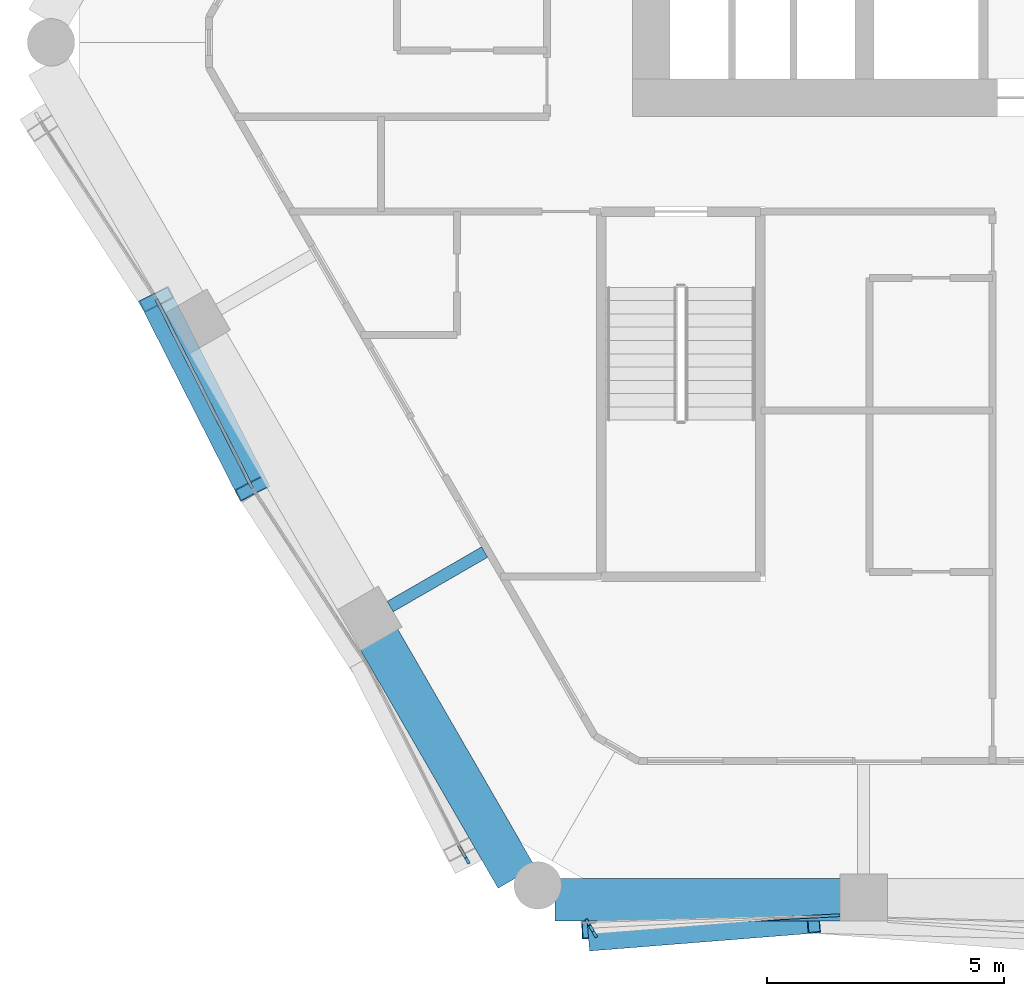
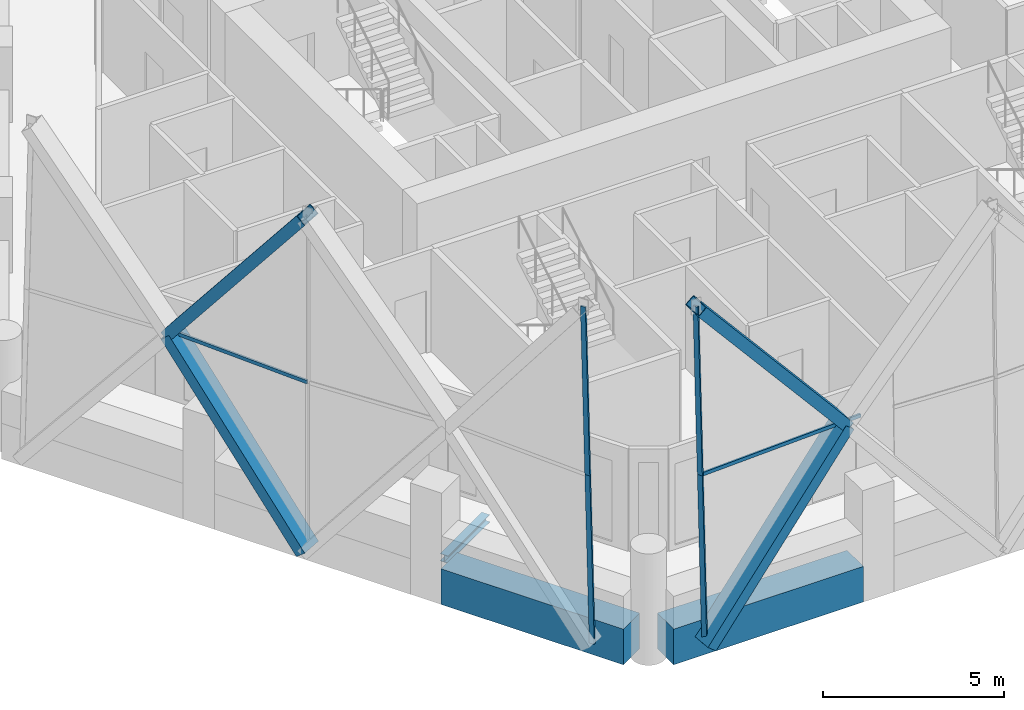
# One storey, part 2 of 19: 10 members, 3 beams, 4 elements without a shape of their own.
"""IFC4 building model written with IfcOpenShell, lengths in metres."""

from ifc_helpers import new_model, si_unit, direction, frame, origin, origin_2d, place, context, subcontext, project, spatial, rectangle, hollow_rectangle, i_section, extrude, material, material_profile, profile_set, type_object, element, aggregate, save


model = new_model("IFC4")

# Units and contexts
model_context = context("Model", 3, precision=1e-05, world=origin(), true_north=direction((0.0, 1.0)))
body_context = subcontext(model_context, "Body", "Model", "MODEL_VIEW")
ifc_project = project(units=[si_unit("LENGTHUNIT", "METRE"), si_unit("AREAUNIT", "SQUARE_METRE"), si_unit("VOLUMEUNIT", "CUBIC_METRE"), si_unit("PLANEANGLEUNIT", "RADIAN"), si_unit("MASSUNIT", "GRAM", prefix="KILO")], contexts=[model_context])

# Site, building, storey
site_placement = place(None, origin())
site = spatial("IfcSite", under=ifc_project, at=site_placement, CompositionType="ELEMENT")
building_placement = place(site_placement, origin())
building = spatial("IfcBuilding", under=site, at=building_placement, Name="Ostrander Bayou Hotel Tower", CompositionType="ELEMENT")
storey_placement = place(building_placement, frame((0.0, 0.0, 164.5)))
storey = spatial("IfcBuildingStorey", under=building, at=storey_placement, Name="L40", CompositionType="ELEMENT", Elevation=164.5)

# Curtain wall, members
ifc_material_1 = material(Name="Aluminium and clear glass", Category="aluminium")
curtain_wall_type = type_object("IfcCurtainWallType", Name="CW-LAT lattice glazing", PredefinedType="NOTDEFINED", material=ifc_material_1)
curtain_wall_1_placement = place(storey_placement, origin())
curtain_wall_1 = element("IfcCurtainWall", 1, at=curtain_wall_1_placement, inside=storey, type_object=curtain_wall_type, Name="CW-LAT L40 SW 1", PredefinedType="NOTDEFINED")
ifc_material_2 = material(Name="Aluminium", Category="aluminium")
ifc_material_profile_1 = material_profile(ifc_material_2, hollow_rectangle(XDim=0.06005859375, YDim=0.159912109375, WallThickness=0.00390625, at=origin_2d()))
ifc_profile_set_1 = profile_set([ifc_material_profile_1], Name="Aluminium")
member_type_1 = type_object("IfcMemberType", Name="CW-LA mullion 60 x 160 mm", PredefinedType="MULLION", material=ifc_profile_set_1)
member_1_placement = place(storey_placement, frame((-11.9814453125, -17.3876953125, -0.60009765625), z_axis=(-0.012582810856, 0.021824668484, 0.999682627996), x_axis=(-0.866328918095, -0.499473928922, 0.0)))
member_1 = element("IfcMember", 2, at=member_1_placement, type_object=member_type_1, Name="CW-LAT mullion 8", PredefinedType="MULLION", context=body_context, shape_type="SweptSolid", body=[
    extrude(hollow_rectangle(XDim=0.06005859375, YDim=0.159912109375, WallThickness=0.00390625, at=origin_2d()), origin(), (0.0, 0.0, 1.0), 5.626708984375),
])
member_2_placement = place(storey_placement, frame((-12.05224609375, -17.264892578125, 5.02490234375), z_axis=(-0.012582810856, 0.021824668484, 0.999682627996), x_axis=(-0.866328918095, -0.499473928922, 0.0)))
member_2 = element("IfcMember", 3, at=member_2_placement, type_object=member_type_1, Name="CW-LAT mullion 9", PredefinedType="MULLION", context=body_context, shape_type="SweptSolid", body=[
    extrude(hollow_rectangle(XDim=0.06005859375, YDim=0.159912109375, WallThickness=0.00390625, at=origin_2d()), origin(), (0.0, 0.0, 1.0), 5.626708984375),
])
aggregate(curtain_wall_1, [member_1, member_2])

curtain_wall_2_placement = place(storey_placement, origin())
curtain_wall_2 = element("IfcCurtainWall", 4, at=curtain_wall_2_placement, inside=storey, type_object=curtain_wall_type, Name="CW-LAT L40 S 1", PredefinedType="NOTDEFINED")
member_3_placement = place(storey_placement, frame((-9.294189453125, -18.939208984375, -0.60009765625), z_axis=(-0.012582810856, 0.021824668484, 0.999682627996), x_axis=(-0.866328918095, -0.499473928922, 0.0)))
member_3 = element("IfcMember", 5, at=member_3_placement, type_object=member_type_1, Name="CW-LAT mullion 1", PredefinedType="MULLION", context=body_context, shape_type="SweptSolid", body=[
    extrude(hollow_rectangle(XDim=0.06005859375, YDim=0.159912109375, WallThickness=0.00390625, at=origin_2d()), origin(), (0.0, 0.0, 1.0), 5.626708984375),
])
member_4_placement = place(storey_placement, frame((-9.364990234375, -18.81640625, 5.02490234375), z_axis=(-0.012582810856, 0.021824668484, 0.999682627996), x_axis=(-0.866328918095, -0.499473928922, 0.0)))
member_4 = element("IfcMember", 6, at=member_4_placement, type_object=member_type_1, Name="CW-LAT mullion 2", PredefinedType="MULLION", context=body_context, shape_type="SweptSolid", body=[
    extrude(hollow_rectangle(XDim=0.06005859375, YDim=0.159912109375, WallThickness=0.00390625, at=origin_2d()), origin(), (0.0, 0.0, 1.0), 5.626708984375),
])
aggregate(curtain_wall_2, [member_3, member_4])

# Curtain wall, member
curtain_wall_3_placement = place(storey_placement, origin())
curtain_wall_3 = element("IfcCurtainWall", 7, at=curtain_wall_3_placement, inside=storey, type_object=curtain_wall_type, Name="CW-LAT L40 SW 2", PredefinedType="NOTDEFINED")
ifc_material_3 = material(Name="Aluminium", Category="aluminium")
ifc_material_profile_2 = material_profile(ifc_material_3, hollow_rectangle(XDim=0.06005859375, YDim=0.1201171875, WallThickness=0.00390625, at=origin_2d()))
ifc_profile_set_2 = profile_set([ifc_material_profile_2], Name="Aluminium")
member_type_2 = type_object("IfcMemberType", Name="CW-LA transom 60 x 120 mm", PredefinedType="USERDEFINED", material=ifc_profile_set_2)
member_5_placement = place(storey_placement, frame((-16.51513671875, -9.534912109375, 5.02490234375), z_axis=(-0.453256240466, 0.891380267046, 0.0), x_axis=(-0.891380267046, -0.453256240466, 0.0)))
member_5 = element("IfcMember", 8, at=member_5_placement, type_object=member_type_2, Name="CW-LAT transom 6", ObjectType="TRANSOM", PredefinedType="USERDEFINED", context=body_context, shape_type="SweptSolid", body=[
    extrude(hollow_rectangle(XDim=0.06005859375, YDim=0.1201171875, WallThickness=0.00390625, at=origin_2d()), origin(), (0.0, 0.0, 1.0), 4.468994140625),
])
aggregate(curtain_wall_3, [member_5])

curtain_wall_4_placement = place(storey_placement, origin())
curtain_wall_4 = element("IfcCurtainWall", 9, at=curtain_wall_4_placement, inside=storey, type_object=curtain_wall_type, Name="CW-LAT L40 S 2", PredefinedType="NOTDEFINED")
member_6_placement = place(storey_placement, frame((-9.364990234375, -18.81640625, 5.02490234375), z_axis=(0.998649607654, 0.051951526749, 0.0), x_axis=(-0.051951526749, 0.998649607654, 0.0)))
member_6 = element("IfcMember", 10, at=member_6_placement, type_object=member_type_2, Name="CW-LAT transom 3", ObjectType="TRANSOM", PredefinedType="USERDEFINED", context=body_context, shape_type="SweptSolid", body=[
    extrude(hollow_rectangle(XDim=0.06005859375, YDim=0.1201171875, WallThickness=0.00390625, at=origin_2d()), origin(), (0.0, 0.0, 1.0), 5.25390625),
])
aggregate(curtain_wall_4, [member_6])

# Beam
ifc_material_4 = material(Name="Steel ASTM A992", Category="steel")
ifc_material_profile_3 = material_profile(ifc_material_4, i_section(OverallWidth=0.25390625, OverallDepth=0.25341796875, WebThickness=0.008544921875, FlangeThickness=0.01416015625, at=origin_2d()))
ifc_profile_set_3 = profile_set([ifc_material_profile_3], Name="Steel ASTM A992")
beam_type_1 = type_object("IfcBeamType", Name="LB2 loggia bracket W10x49", PredefinedType="BEAM", material=ifc_profile_set_3)
beam_1_placement = place(storey_placement, frame((-13.606201171875, -12.033203125, -0.4267578125), z_axis=(0.86602648383, 0.499998129301, 0.0), x_axis=(-0.499998129301, 0.86602648383, 0.0)))
element("IfcBeam", 11, at=beam_1_placement, inside=storey, type_object=beam_type_1, Name="LB2 L40 SW2", PredefinedType="BEAM", context=body_context, shape_type="SweptSolid", body=[
    extrude(i_section(OverallWidth=0.25390625, OverallDepth=0.25341796875, WebThickness=0.008544921875, FlangeThickness=0.01416015625, at=origin_2d()), origin(), (0.0, 0.0, 1.0), 2.2998046875),
])

# Members
ifc_material_5 = material(Name="Steel ASTM A572 Gr 50", Category="steel")
ifc_material_profile_4 = material_profile(ifc_material_5, hollow_rectangle(XDim=0.699951171875, YDim=0.35009765625, WallThickness=0.02490234375, at=origin_2d()))
ifc_profile_set_4 = profile_set([ifc_material_profile_4], Name="Steel ASTM A572 Gr 50")
member_type_3 = type_object("IfcMemberType", Name="LT1 lattice member box 700 x 350 x 25 mm", PredefinedType="BRACE", material=ifc_profile_set_4)
for number, where, z_axis, x_axis, name in (
    (12, (-18.540771484375, -5.55126953125, 5.02490234375), (0.281955535595, -0.554497827444, -0.782964389552), (0.891380267046, 0.453256240466, 0.0), "LT1 L40 SW 3"),
    (13, (-18.540771484375, -5.55126953125, 5.02490234375), (0.281955535595, -0.554497827444, 0.782964389552), (0.891380267046, 0.453256240466, 0.0), "LT1 L40 SW 4"),
):
    element("IfcMember", number, at=place(storey_placement, frame(where, z_axis=z_axis, x_axis=x_axis)), inside=storey, type_object=member_type_3, Name=name, PredefinedType="BRACE", context=body_context, shape_type="SweptSolid", body=[
        extrude(hollow_rectangle(XDim=0.699951171875, YDim=0.35009765625, WallThickness=0.02490234375, at=origin_2d()), origin(), (0.0, 0.0, 1.0), 7.184326171875),
    ])
member_7_placement = place(storey_placement, frame((-4.6826171875, -18.57275390625, 5.02490234375), z_axis=(-0.633200233605, -0.050316774347, -0.772350753468), x_axis=(0.079214529371, -0.996857591804, 0.0)))
element("IfcMember", 14, at=member_7_placement, inside=storey, type_object=member_type_3, Name="LT1 L40 S 1", PredefinedType="BRACE", context=body_context, shape_type="SweptSolid", body=[
    extrude(hollow_rectangle(XDim=0.699951171875, YDim=0.35009765625, WallThickness=0.02490234375, at=origin_2d()), origin(), (0.0, 0.0, 1.0), 7.282958984375),
])
member_8_placement = place(storey_placement, frame((-4.6826171875, -18.57275390625, 5.02490234375), z_axis=(-0.645345472424, -0.016407931011, 0.76371460705), x_axis=(0.02541682087, -0.999676940425, 0.0)))
element("IfcMember", 15, at=member_8_placement, inside=storey, type_object=member_type_3, Name="LT1 L40 S 2", PredefinedType="BRACE", context=body_context, shape_type="SweptSolid", body=[
    extrude(hollow_rectangle(XDim=0.699951171875, YDim=0.35009765625, WallThickness=0.02490234375, at=origin_2d()), origin(), (0.0, 0.0, 1.0), 7.365234375),
])

# Beams
ifc_material_6 = material(Name="Concrete f'c 60 MPa", Category="concrete")
ifc_material_profile_5 = material_profile(ifc_material_6, rectangle(XDim=0.89990234375, YDim=1.199951171875, at=origin_2d()))
ifc_profile_set_5 = profile_set([ifc_material_profile_5], Name="Concrete f'c 60 MPa")
beam_type_2 = type_object("IfcBeamType", Name="SP3 spandrel beam 900 x 1200 mm f'c 60 MPa", PredefinedType="SPANDREL", material=ifc_profile_set_5)
beam_2_placement = place(storey_placement, frame((-13.847412109375, -12.71533203125, -0.60009765625), z_axis=(0.499969679245, -0.866042908773, 0.0), x_axis=(0.866042908773, 0.499969679245, 0.0)))
element("IfcBeam", 16, at=beam_2_placement, inside=storey, type_object=beam_type_2, Name="SP3 L40 SW-3", PredefinedType="SPANDREL", context=body_context, shape_type="SweptSolid", body=[
    extrude(rectangle(XDim=0.89990234375, YDim=1.199951171875, at=origin_2d()), origin(), (0.0, 0.0, 1.0), 5.812744140625),
])
beam_3_placement = place(storey_placement, frame((-10.127685546875, -18.218994140625, -0.60009765625), z_axis=(1.0, 0.0, 0.0), x_axis=(0.0, 1.0, 0.0)))
element("IfcBeam", 17, at=beam_3_placement, inside=storey, type_object=beam_type_2, Name="SP3 L40 S-1", PredefinedType="SPANDREL", context=body_context, shape_type="SweptSolid", body=[
    extrude(rectangle(XDim=0.89990234375, YDim=1.199951171875, at=origin_2d()), origin(), (0.0, 0.0, 1.0), 6.03955078125),
])

save(model, "model.ifc")
